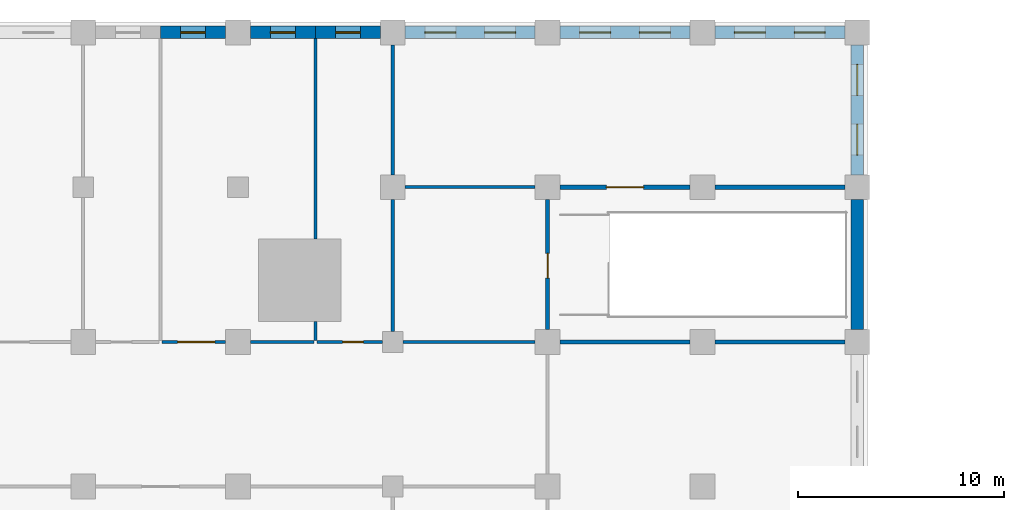
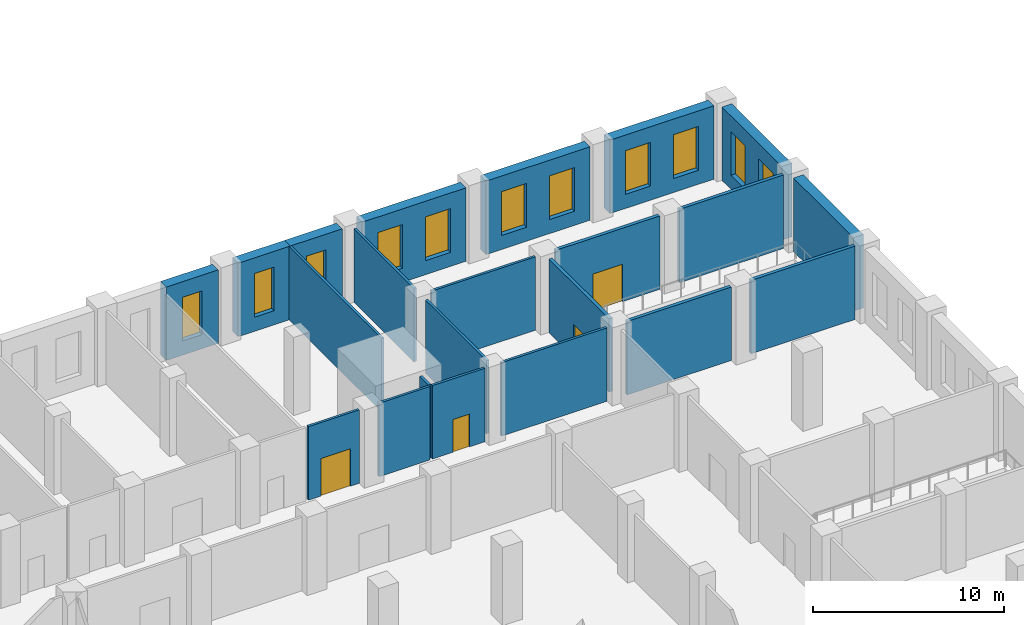
# One storey, part 11 of 22: 22 walls, 11 windows, 4 doors, 15 openings.
"""IFC4 building model written with IfcOpenShell, lengths in metres."""

from ifc_helpers import new_model, si_unit, direction, frame, frame_2d, origin, place, context, subcontext, project, spatial, rectangle, extrude, material, layer, layer_set, type_object, element, fill, save


model = new_model("IFC4")

# Units and contexts
model_context = context("Model", 3, precision=1e-05, world=origin(), true_north=direction((0.0, 1.0)))
body_context = subcontext(model_context, "Body", "Model", "MODEL_VIEW")
ifc_project = project(units=[si_unit("LENGTHUNIT", "METRE"), si_unit("AREAUNIT", "SQUARE_METRE"), si_unit("VOLUMEUNIT", "CUBIC_METRE"), si_unit("PLANEANGLEUNIT", "RADIAN"), si_unit("MASSUNIT", "GRAM", prefix="KILO")], contexts=[model_context])

# Site, building, storey
site_placement = place(None, origin())
site = spatial("IfcSite", under=ifc_project, at=site_placement, CompositionType="ELEMENT")
building_placement = place(site_placement, origin())
building = spatial("IfcBuilding", under=site, at=building_placement, Name="Tamorin Gate", CompositionType="ELEMENT")
storey_placement = place(building_placement, frame((0.0, 0.0, 29.0)))
storey = spatial("IfcBuildingStorey", under=building, at=storey_placement, Name="L05", CompositionType="ELEMENT", Elevation=29.0)

# Wall, opening, door
ifc_material_1 = material(Name="Concrete masonry C20/25", Category="masonry")
ifc_layer_1 = layer(ifc_material_1, 0.14990234375)
ifc_layer_set_1 = layer_set([ifc_layer_1], Name="Partition 150")
wall_type_1 = type_object("IfcWallType", Name="Partition 150", PredefinedType="PARTITIONING", material=ifc_layer_set_1)
wall_1_placement = place(storey_placement, frame((81.39990234375, 97.0, 0.0), z_axis=(0.0, 0.0, 1.0), x_axis=(-1.0, 0.0, 0.0)))
wall_1 = element("IfcWall", 1, at=wall_1_placement, inside=storey, type_object=wall_type_1, Name="Partition 150 L05", PredefinedType="PARTITIONING", context=body_context, shape_type="SweptSolid", body=[
    extrude(rectangle(XDim=3.074951171875, YDim=0.14990234375, at=frame_2d((1.53759765625, 0.0))), origin(), (0.0, 0.0, 1.0), 4.699951171875),
])
opening_1_placement = place(wall_1_placement, frame((0.52490234375, 0.0, 0.0)))
opening_1 = element("IfcOpeningElement", 2, at=opening_1_placement, cuts=wall_1, Name="Opening DP3", PredefinedType="OPENING", context=body_context, shape_type="SweptSolid", body=[
    extrude(rectangle(XDim=1.800048828125, YDim=2.39990234375, at=frame_2d((0.89990234375, 1.199951171875))), frame((0.0, 0.0849609375, 0.0), z_axis=(0.0, -1.0, 0.0), x_axis=(1.0, 0.0, 0.0)), (0.0, 0.0, 1.0), 0.169921875),
])
ifc_material_2 = material(Name="Steel and glass", Category="steel")
door_type_1 = type_object("IfcDoorType", Name="Door pair 1800", OperationType="DOUBLE_DOOR_SINGLE_SWING", PredefinedType="DOOR", material=ifc_material_2)
door_1_placement = place(opening_1_placement, origin())
door_1 = element("IfcDoor", 3, at=door_1_placement, inside=storey, type_object=door_type_1, Name="Door pair 1800 L05", OperationType="SINGLE_SWING_LEFT", OverallHeight=2.39990234375, OverallWidth=1.800048828125, PredefinedType="DOOR", context=body_context, shape_type="SweptSolid", body=[
    extrude(rectangle(XDim=1.800048828125, YDim=2.39990234375, at=frame_2d((0.89990234375, 1.199951171875))), frame((0.0, 0.02490234375, 0.0), z_axis=(0.0, -1.0, 0.0), x_axis=(1.0, 0.0, 0.0)), (0.0, 0.0, 1.0), 0.050048828125),
])
fill(opening_1, door_1)

# Wall
wall_2_placement = place(storey_placement, frame((82.60009765625, 97.0, 0.0), z_axis=(0.0, 0.0, 1.0), x_axis=(1.0, 0.0, 0.0)))
element("IfcWall", 4, at=wall_2_placement, inside=storey, type_object=wall_type_1, Name="Partition 150 L05", PredefinedType="PARTITIONING", context=body_context, shape_type="SweptSolid", body=[
    extrude(rectangle(XDim=3.074951171875, YDim=0.14990234375, at=frame_2d((1.53759765625, 0.0))), origin(), (0.0, 0.0, 1.0), 4.699951171875),
])

# Wall, opening, door
wall_3_placement = place(storey_placement, frame((89.0, 97.0, 0.0), z_axis=(0.0, 0.0, 1.0), x_axis=(-1.0, 0.0, 0.0)))
wall_3 = element("IfcWall", 5, at=wall_3_placement, inside=storey, type_object=wall_type_1, Name="Partition 150 L05", PredefinedType="PARTITIONING", context=body_context, shape_type="SweptSolid", body=[
    extrude(rectangle(XDim=3.175048828125, YDim=0.14990234375, at=frame_2d((1.58740234375, 0.0))), origin(), (0.0, 0.0, 1.0), 4.699951171875),
])
opening_2_placement = place(wall_3_placement, frame((0.925048828125, 0.0, 0.0)))
opening_2 = element("IfcOpeningElement", 6, at=opening_2_placement, cuts=wall_3, Name="Opening DP2", PredefinedType="OPENING", context=body_context, shape_type="SweptSolid", body=[
    extrude(rectangle(XDim=1.0, YDim=2.10009765625, at=frame_2d((0.5, 1.050048828125))), frame((0.0, 0.0849609375, 0.0), z_axis=(0.0, -1.0, 0.0), x_axis=(1.0, 0.0, 0.0)), (0.0, 0.0, 1.0), 0.169921875),
])
ifc_material_3 = material(Name="Painted steel", Category="steel")
door_type_2 = type_object("IfcDoorType", Name="Door single 1000", OperationType="SINGLE_SWING_LEFT", PredefinedType="DOOR", material=ifc_material_3)
door_2_placement = place(opening_2_placement, origin())
door_2 = element("IfcDoor", 7, at=door_2_placement, inside=storey, type_object=door_type_2, Name="Door single 1000 L05", OperationType="SINGLE_SWING_LEFT", OverallHeight=2.10009765625, OverallWidth=1.0, PredefinedType="DOOR", context=body_context, shape_type="SweptSolid", body=[
    extrude(rectangle(XDim=1.0, YDim=2.10009765625, at=frame_2d((0.5, 1.050048828125))), frame((0.0, 0.02490234375, 0.0), z_axis=(0.0, -1.0, 0.0), x_axis=(1.0, 0.0, 0.0)), (0.0, 0.0, 1.0), 0.050048828125),
])
fill(opening_2, door_2)

# Walls
wall_4_placement = place(storey_placement, frame((90.0, 97.0, 0.0), z_axis=(0.0, 0.0, 1.0), x_axis=(1.0, 0.0, 0.0)))
element("IfcWall", 8, at=wall_4_placement, inside=storey, type_object=wall_type_1, Name="Partition 150 L05", PredefinedType="PARTITIONING", context=body_context, shape_type="SweptSolid", body=[
    extrude(rectangle(XDim=6.39990234375, YDim=0.14990234375, at=frame_2d((3.199951171875, 0.0))), origin(), (0.0, 0.0, 1.0), 4.699951171875),
])
wall_5_placement = place(storey_placement, frame((90.10009765625, 104.5, 0.0), z_axis=(0.0, 0.0, 1.0), x_axis=(1.0, 0.0, 0.0)))
element("IfcWall", 9, at=wall_5_placement, inside=storey, type_object=wall_type_1, Name="Partition 150 L05", PredefinedType="PARTITIONING", context=body_context, shape_type="SweptSolid", body=[
    extrude(rectangle(XDim=6.2998046875, YDim=0.14990234375, at=frame_2d((3.14990234375, 0.0))), origin(), (0.0, 0.0, 1.0), 4.699951171875),
])
wall_6_placement = place(storey_placement, frame((89.5, 97.5, 0.0), z_axis=(0.0, 0.0, 1.0), x_axis=(0.0, 1.0, 0.0)))
element("IfcWall", 10, at=wall_6_placement, inside=storey, type_object=wall_type_1, Name="Partition 150 L05", PredefinedType="PARTITIONING", context=body_context, shape_type="SweptSolid", body=[
    extrude(rectangle(XDim=6.39990234375, YDim=0.14990234375, at=frame_2d((3.199951171875, 0.0))), origin(), (0.0, 0.0, 1.0), 4.699951171875),
])
wall_7_placement = place(storey_placement, frame((89.5, 105.10009765625, 0.0), z_axis=(0.0, 0.0, 1.0), x_axis=(0.0, 1.0, 0.0)))
element("IfcWall", 11, at=wall_7_placement, inside=storey, type_object=wall_type_1, Name="Partition 150 L05", PredefinedType="PARTITIONING", context=body_context, shape_type="SweptSolid", body=[
    extrude(rectangle(XDim=6.2998046875, YDim=0.14990234375, at=frame_2d((3.14990234375, 0.0))), origin(), (0.0, 0.0, 1.0), 4.699951171875),
])
wall_8_placement = place(storey_placement, frame((85.75, 97.074951171875, 0.0), z_axis=(0.0, 0.0, 1.0), x_axis=(0.0, 1.0, 0.0)))
element("IfcWall", 12, at=wall_8_placement, inside=storey, type_object=wall_type_1, Name="Partition 150 L05", PredefinedType="PARTITIONING", context=body_context, shape_type="SweptSolid", body=[
    extrude(rectangle(XDim=0.925048828125, YDim=0.14990234375, at=frame_2d((0.46240234375, 0.0))), origin(), (0.0, 0.0, 1.0), 4.699951171875),
])
wall_9_placement = place(storey_placement, frame((85.75, 102.0, 0.0), z_axis=(0.0, 0.0, 1.0), x_axis=(0.0, 1.0, 0.0)))
element("IfcWall", 13, at=wall_9_placement, inside=storey, type_object=wall_type_1, Name="Partition 150 L05", PredefinedType="PARTITIONING", context=body_context, shape_type="SweptSolid", body=[
    extrude(rectangle(XDim=9.699951171875, YDim=0.14990234375, at=frame_2d((4.85009765625, 0.0))), origin(), (0.0, 0.0, 1.0), 4.699951171875),
])

# Wall, opening, window
ifc_material_4 = material(Name="Precast concrete C40/50", Category="concrete")
ifc_layer_2 = layer(ifc_material_4, 0.60009765625)
ifc_layer_set_2 = layer_set([ifc_layer_2], Name="Precast concrete C40/50")
wall_type_2 = type_object("IfcWallType", Name="Precast plinth wall 600", PredefinedType="PARTITIONING", material=ifc_layer_set_2)
wall_10_placement = place(storey_placement, frame((78.25, 112.0, 0.0), z_axis=(0.0, 0.0, 1.0), x_axis=(1.0, 0.0, 0.0)))
wall_10 = element("IfcWall", 14, at=wall_10_placement, inside=storey, type_object=wall_type_2, Name="Precast plinth wall 600 L05", PredefinedType="PARTITIONING", context=body_context, shape_type="SweptSolid", body=[
    extrude(rectangle(XDim=3.14990234375, YDim=0.60009765625, at=frame_2d((1.574951171875, 0.0))), origin(), (0.0, 0.0, 1.0), 4.699951171875),
])
opening_3_placement = place(wall_10_placement, frame((0.97509765625, 0.0, 0.89990234375)))
opening_3 = element("IfcOpeningElement", 15, at=opening_3_placement, cuts=wall_10, Name="Opening PWN4", PredefinedType="OPENING", context=body_context, shape_type="SweptSolid", body=[
    extrude(rectangle(XDim=1.199951171875, YDim=2.800048828125, at=frame_2d((0.60009765625, 1.39990234375))), frame((0.0, 0.31005859375, 0.0), z_axis=(0.0, -1.0, 0.0), x_axis=(1.0, 0.0, 0.0)), (0.0, 0.0, 1.0), 0.6201171875),
])
ifc_material_5 = material(Name="Aluminium and glass", Category="aluminium")
window_type_1 = type_object("IfcWindowType", Name="Plinth window 1200x2800", PartitioningType="DOUBLE_PANEL_VERTICAL", PredefinedType="WINDOW", material=ifc_material_5)
window_1_placement = place(opening_3_placement, origin())
window_1 = element("IfcWindow", 16, at=window_1_placement, inside=storey, type_object=window_type_1, Name="Plinth window 1200x2800", OverallHeight=2.800048828125, OverallWidth=1.199951171875, PartitioningType="SINGLE_PANEL", PredefinedType="WINDOW", context=body_context, shape_type="SweptSolid", body=[
    extrude(rectangle(XDim=1.199951171875, YDim=2.800048828125, at=frame_2d((0.60009765625, 1.39990234375))), frame((0.0, 0.030029296875, 0.0), z_axis=(0.0, -1.0, 0.0), x_axis=(1.0, 0.0, 0.0)), (0.0, 0.0, 1.0), 0.06005859375),
])
fill(opening_3, window_1)

wall_11_placement = place(storey_placement, frame((82.60009765625, 112.0, 0.0), z_axis=(0.0, 0.0, 1.0), x_axis=(1.0, 0.0, 0.0)))
wall_11 = element("IfcWall", 17, at=wall_11_placement, inside=storey, type_object=wall_type_2, Name="Precast plinth wall 600 L05", PredefinedType="PARTITIONING", context=body_context, shape_type="SweptSolid", body=[
    extrude(rectangle(XDim=3.14990234375, YDim=0.60009765625, at=frame_2d((1.574951171875, 0.0))), origin(), (0.0, 0.0, 1.0), 4.699951171875),
])
opening_4_placement = place(wall_11_placement, frame((0.97509765625, 0.0, 0.89990234375)))
opening_4 = element("IfcOpeningElement", 18, at=opening_4_placement, cuts=wall_11, Name="Opening PWN4", PredefinedType="OPENING", context=body_context, shape_type="SweptSolid", body=[
    extrude(rectangle(XDim=1.199951171875, YDim=2.800048828125, at=frame_2d((0.60009765625, 1.39990234375))), frame((0.0, 0.31005859375, 0.0), z_axis=(0.0, -1.0, 0.0), x_axis=(1.0, 0.0, 0.0)), (0.0, 0.0, 1.0), 0.6201171875),
])
window_2_placement = place(opening_4_placement, origin())
window_2 = element("IfcWindow", 19, at=window_2_placement, inside=storey, type_object=window_type_1, Name="Plinth window 1200x2800", OverallHeight=2.800048828125, OverallWidth=1.199951171875, PartitioningType="SINGLE_PANEL", PredefinedType="WINDOW", context=body_context, shape_type="SweptSolid", body=[
    extrude(rectangle(XDim=1.199951171875, YDim=2.800048828125, at=frame_2d((0.60009765625, 1.39990234375))), frame((0.0, 0.030029296875, 0.0), z_axis=(0.0, -1.0, 0.0), x_axis=(1.0, 0.0, 0.0)), (0.0, 0.0, 1.0), 0.06005859375),
])
fill(opening_4, window_2)

wall_12_placement = place(storey_placement, frame((85.75, 112.0, 0.0), z_axis=(0.0, 0.0, 1.0), x_axis=(1.0, 0.0, 0.0)))
wall_12 = element("IfcWall", 20, at=wall_12_placement, inside=storey, type_object=wall_type_2, Name="Precast plinth wall 600 L05", PredefinedType="PARTITIONING", context=body_context, shape_type="SweptSolid", body=[
    extrude(rectangle(XDim=3.14990234375, YDim=0.60009765625, at=frame_2d((1.574951171875, 0.0))), origin(), (0.0, 0.0, 1.0), 4.699951171875),
])
opening_5_placement = place(wall_12_placement, frame((0.97509765625, 0.0, 0.89990234375)))
opening_5 = element("IfcOpeningElement", 21, at=opening_5_placement, cuts=wall_12, Name="Opening PWN4", PredefinedType="OPENING", context=body_context, shape_type="SweptSolid", body=[
    extrude(rectangle(XDim=1.199951171875, YDim=2.800048828125, at=frame_2d((0.60009765625, 1.39990234375))), frame((0.0, 0.31005859375, 0.0), z_axis=(0.0, -1.0, 0.0), x_axis=(1.0, 0.0, 0.0)), (0.0, 0.0, 1.0), 0.6201171875),
])
window_3_placement = place(opening_5_placement, origin())
window_3 = element("IfcWindow", 22, at=window_3_placement, inside=storey, type_object=window_type_1, Name="Plinth window 1200x2800", OverallHeight=2.800048828125, OverallWidth=1.199951171875, PartitioningType="SINGLE_PANEL", PredefinedType="WINDOW", context=body_context, shape_type="SweptSolid", body=[
    extrude(rectangle(XDim=1.199951171875, YDim=2.800048828125, at=frame_2d((0.60009765625, 1.39990234375))), frame((0.0, 0.030029296875, 0.0), z_axis=(0.0, -1.0, 0.0), x_axis=(1.0, 0.0, 0.0)), (0.0, 0.0, 1.0), 0.06005859375),
])
fill(opening_5, window_3)

# Wall, openings, windows
wall_13_placement = place(storey_placement, frame((90.10009765625, 112.0, 0.0), z_axis=(0.0, 0.0, 1.0), x_axis=(1.0, 0.0, 0.0)))
wall_13 = element("IfcWall", 23, at=wall_13_placement, inside=storey, type_object=wall_type_2, Name="Precast plinth wall 600 L05", PredefinedType="PARTITIONING", context=body_context, shape_type="SweptSolid", body=[
    extrude(rectangle(XDim=6.2998046875, YDim=0.60009765625, at=frame_2d((3.14990234375, 0.0))), origin(), (0.0, 0.0, 1.0), 4.699951171875),
])
opening_6_placement = place(wall_13_placement, frame((0.950927734375, 0.0, 0.89990234375)))
opening_6 = element("IfcOpeningElement", 24, at=opening_6_placement, cuts=wall_13, Name="Opening PWN5", PredefinedType="OPENING", context=body_context, shape_type="SweptSolid", body=[
    extrude(rectangle(XDim=1.5, YDim=2.800048828125, at=frame_2d((0.75, 1.39990234375))), frame((0.0, 0.31005859375, 0.0), z_axis=(0.0, -1.0, 0.0), x_axis=(1.0, 0.0, 0.0)), (0.0, 0.0, 1.0), 0.6201171875),
])
opening_7_placement = place(wall_13_placement, frame((3.84912109375, 0.0, 0.89990234375)))
opening_7 = element("IfcOpeningElement", 25, at=opening_7_placement, cuts=wall_13, Name="Opening PWN5", PredefinedType="OPENING", context=body_context, shape_type="SweptSolid", body=[
    extrude(rectangle(XDim=1.5, YDim=2.800048828125, at=frame_2d((0.75, 1.39990234375))), frame((0.0, 0.31005859375, 0.0), z_axis=(0.0, -1.0, 0.0), x_axis=(1.0, 0.0, 0.0)), (0.0, 0.0, 1.0), 0.6201171875),
])
window_type_2 = type_object("IfcWindowType", Name="Plinth window 1500x2800", PartitioningType="DOUBLE_PANEL_VERTICAL", PredefinedType="WINDOW", material=ifc_material_5)
window_4_placement = place(opening_6_placement, origin())
window_4 = element("IfcWindow", 26, at=window_4_placement, inside=storey, type_object=window_type_2, Name="Plinth window 1500x2800", OverallHeight=2.800048828125, OverallWidth=1.5, PartitioningType="SINGLE_PANEL", PredefinedType="WINDOW", context=body_context, shape_type="SweptSolid", body=[
    extrude(rectangle(XDim=1.5, YDim=2.800048828125, at=frame_2d((0.75, 1.39990234375))), frame((0.0, 0.030029296875, 0.0), z_axis=(0.0, -1.0, 0.0), x_axis=(1.0, 0.0, 0.0)), (0.0, 0.0, 1.0), 0.06005859375),
])
fill(opening_6, window_4)
window_5_placement = place(opening_7_placement, origin())
window_5 = element("IfcWindow", 27, at=window_5_placement, inside=storey, type_object=window_type_2, Name="Plinth window 1500x2800", OverallHeight=2.800048828125, OverallWidth=1.5, PartitioningType="SINGLE_PANEL", PredefinedType="WINDOW", context=body_context, shape_type="SweptSolid", body=[
    extrude(rectangle(XDim=1.5, YDim=2.800048828125, at=frame_2d((0.75, 1.39990234375))), frame((0.0, 0.030029296875, 0.0), z_axis=(0.0, -1.0, 0.0), x_axis=(1.0, 0.0, 0.0)), (0.0, 0.0, 1.0), 0.06005859375),
])
fill(opening_7, window_5)

wall_14_placement = place(storey_placement, frame((97.60009765625, 112.0, 0.0), z_axis=(0.0, 0.0, 1.0), x_axis=(1.0, 0.0, 0.0)))
wall_14 = element("IfcWall", 28, at=wall_14_placement, inside=storey, type_object=wall_type_2, Name="Precast plinth wall 600 L05", PredefinedType="PARTITIONING", context=body_context, shape_type="SweptSolid", body=[
    extrude(rectangle(XDim=6.2998046875, YDim=0.60009765625, at=frame_2d((3.14990234375, 0.0))), origin(), (0.0, 0.0, 1.0), 4.699951171875),
])
opening_8_placement = place(wall_14_placement, frame((0.950927734375, 0.0, 0.89990234375)))
opening_8 = element("IfcOpeningElement", 29, at=opening_8_placement, cuts=wall_14, Name="Opening PWN5", PredefinedType="OPENING", context=body_context, shape_type="SweptSolid", body=[
    extrude(rectangle(XDim=1.5, YDim=2.800048828125, at=frame_2d((0.75, 1.39990234375))), frame((0.0, 0.31005859375, 0.0), z_axis=(0.0, -1.0, 0.0), x_axis=(1.0, 0.0, 0.0)), (0.0, 0.0, 1.0), 0.6201171875),
])
opening_9_placement = place(wall_14_placement, frame((3.84912109375, 0.0, 0.89990234375)))
opening_9 = element("IfcOpeningElement", 30, at=opening_9_placement, cuts=wall_14, Name="Opening PWN5", PredefinedType="OPENING", context=body_context, shape_type="SweptSolid", body=[
    extrude(rectangle(XDim=1.5, YDim=2.800048828125, at=frame_2d((0.75, 1.39990234375))), frame((0.0, 0.31005859375, 0.0), z_axis=(0.0, -1.0, 0.0), x_axis=(1.0, 0.0, 0.0)), (0.0, 0.0, 1.0), 0.6201171875),
])
window_6_placement = place(opening_8_placement, origin())
window_6 = element("IfcWindow", 31, at=window_6_placement, inside=storey, type_object=window_type_2, Name="Plinth window 1500x2800", OverallHeight=2.800048828125, OverallWidth=1.5, PartitioningType="SINGLE_PANEL", PredefinedType="WINDOW", context=body_context, shape_type="SweptSolid", body=[
    extrude(rectangle(XDim=1.5, YDim=2.800048828125, at=frame_2d((0.75, 1.39990234375))), frame((0.0, 0.030029296875, 0.0), z_axis=(0.0, -1.0, 0.0), x_axis=(1.0, 0.0, 0.0)), (0.0, 0.0, 1.0), 0.06005859375),
])
fill(opening_8, window_6)
window_7_placement = place(opening_9_placement, origin())
window_7 = element("IfcWindow", 32, at=window_7_placement, inside=storey, type_object=window_type_2, Name="Plinth window 1500x2800", OverallHeight=2.800048828125, OverallWidth=1.5, PartitioningType="SINGLE_PANEL", PredefinedType="WINDOW", context=body_context, shape_type="SweptSolid", body=[
    extrude(rectangle(XDim=1.5, YDim=2.800048828125, at=frame_2d((0.75, 1.39990234375))), frame((0.0, 0.030029296875, 0.0), z_axis=(0.0, -1.0, 0.0), x_axis=(1.0, 0.0, 0.0)), (0.0, 0.0, 1.0), 0.06005859375),
])
fill(opening_9, window_7)

wall_15_placement = place(storey_placement, frame((105.10009765625, 112.0, 0.0), z_axis=(0.0, 0.0, 1.0), x_axis=(1.0, 0.0, 0.0)))
wall_15 = element("IfcWall", 33, at=wall_15_placement, inside=storey, type_object=wall_type_2, Name="Precast plinth wall 600 L05", PredefinedType="PARTITIONING", context=body_context, shape_type="SweptSolid", body=[
    extrude(rectangle(XDim=6.2998046875, YDim=0.60009765625, at=frame_2d((3.14990234375, 0.0))), origin(), (0.0, 0.0, 1.0), 4.699951171875),
])
opening_10_placement = place(wall_15_placement, frame((0.950927734375, 0.0, 0.89990234375)))
opening_10 = element("IfcOpeningElement", 34, at=opening_10_placement, cuts=wall_15, Name="Opening PWN5", PredefinedType="OPENING", context=body_context, shape_type="SweptSolid", body=[
    extrude(rectangle(XDim=1.5, YDim=2.800048828125, at=frame_2d((0.75, 1.39990234375))), frame((0.0, 0.31005859375, 0.0), z_axis=(0.0, -1.0, 0.0), x_axis=(1.0, 0.0, 0.0)), (0.0, 0.0, 1.0), 0.6201171875),
])
opening_11_placement = place(wall_15_placement, frame((3.84912109375, 0.0, 0.89990234375)))
opening_11 = element("IfcOpeningElement", 35, at=opening_11_placement, cuts=wall_15, Name="Opening PWN5", PredefinedType="OPENING", context=body_context, shape_type="SweptSolid", body=[
    extrude(rectangle(XDim=1.5, YDim=2.800048828125, at=frame_2d((0.75, 1.39990234375))), frame((0.0, 0.31005859375, 0.0), z_axis=(0.0, -1.0, 0.0), x_axis=(1.0, 0.0, 0.0)), (0.0, 0.0, 1.0), 0.6201171875),
])
window_8_placement = place(opening_10_placement, origin())
window_8 = element("IfcWindow", 36, at=window_8_placement, inside=storey, type_object=window_type_2, Name="Plinth window 1500x2800", OverallHeight=2.800048828125, OverallWidth=1.5, PartitioningType="SINGLE_PANEL", PredefinedType="WINDOW", context=body_context, shape_type="SweptSolid", body=[
    extrude(rectangle(XDim=1.5, YDim=2.800048828125, at=frame_2d((0.75, 1.39990234375))), frame((0.0, 0.030029296875, 0.0), z_axis=(0.0, -1.0, 0.0), x_axis=(1.0, 0.0, 0.0)), (0.0, 0.0, 1.0), 0.06005859375),
])
fill(opening_10, window_8)
window_9_placement = place(opening_11_placement, origin())
window_9 = element("IfcWindow", 37, at=window_9_placement, inside=storey, type_object=window_type_2, Name="Plinth window 1500x2800", OverallHeight=2.800048828125, OverallWidth=1.5, PartitioningType="SINGLE_PANEL", PredefinedType="WINDOW", context=body_context, shape_type="SweptSolid", body=[
    extrude(rectangle(XDim=1.5, YDim=2.800048828125, at=frame_2d((0.75, 1.39990234375))), frame((0.0, 0.030029296875, 0.0), z_axis=(0.0, -1.0, 0.0), x_axis=(1.0, 0.0, 0.0)), (0.0, 0.0, 1.0), 0.06005859375),
])
fill(opening_11, window_9)

# Wall
wall_16_placement = place(storey_placement, frame((112.0, 97.60009765625, 0.0), z_axis=(0.0, 0.0, 1.0), x_axis=(0.0, 1.0, 0.0)))
element("IfcWall", 38, at=wall_16_placement, inside=storey, type_object=wall_type_2, Name="Precast plinth wall 600 L05", PredefinedType="PARTITIONING", context=body_context, shape_type="SweptSolid", body=[
    extrude(rectangle(XDim=6.2998046875, YDim=0.60009765625, at=frame_2d((3.14990234375, 0.0))), origin(), (0.0, 0.0, 1.0), 4.699951171875),
])

# Wall, openings, windows
wall_17_placement = place(storey_placement, frame((112.0, 105.10009765625, 0.0), z_axis=(0.0, 0.0, 1.0), x_axis=(0.0, 1.0, 0.0)))
wall_17 = element("IfcWall", 39, at=wall_17_placement, inside=storey, type_object=wall_type_2, Name="Precast plinth wall 600 L05", PredefinedType="PARTITIONING", context=body_context, shape_type="SweptSolid", body=[
    extrude(rectangle(XDim=6.2998046875, YDim=0.60009765625, at=frame_2d((3.14990234375, 0.0))), origin(), (0.0, 0.0, 1.0), 4.699951171875),
])
opening_12_placement = place(wall_17_placement, frame((0.950927734375, 0.0, 0.89990234375)))
opening_12 = element("IfcOpeningElement", 40, at=opening_12_placement, cuts=wall_17, Name="Opening PWN5", PredefinedType="OPENING", context=body_context, shape_type="SweptSolid", body=[
    extrude(rectangle(XDim=1.5, YDim=2.800048828125, at=frame_2d((0.75, 1.39990234375))), frame((0.0, 0.31005859375, 0.0), z_axis=(0.0, -1.0, 0.0), x_axis=(1.0, 0.0, 0.0)), (0.0, 0.0, 1.0), 0.6201171875),
])
opening_13_placement = place(wall_17_placement, frame((3.84912109375, 0.0, 0.89990234375)))
opening_13 = element("IfcOpeningElement", 41, at=opening_13_placement, cuts=wall_17, Name="Opening PWN5", PredefinedType="OPENING", context=body_context, shape_type="SweptSolid", body=[
    extrude(rectangle(XDim=1.5, YDim=2.800048828125, at=frame_2d((0.75, 1.39990234375))), frame((0.0, 0.31005859375, 0.0), z_axis=(0.0, -1.0, 0.0), x_axis=(1.0, 0.0, 0.0)), (0.0, 0.0, 1.0), 0.6201171875),
])
window_10_placement = place(opening_12_placement, origin())
window_10 = element("IfcWindow", 42, at=window_10_placement, inside=storey, type_object=window_type_2, Name="Plinth window 1500x2800", OverallHeight=2.800048828125, OverallWidth=1.5, PartitioningType="SINGLE_PANEL", PredefinedType="WINDOW", context=body_context, shape_type="SweptSolid", body=[
    extrude(rectangle(XDim=1.5, YDim=2.800048828125, at=frame_2d((0.75, 1.39990234375))), frame((0.0, 0.030029296875, 0.0), z_axis=(0.0, -1.0, 0.0), x_axis=(1.0, 0.0, 0.0)), (0.0, 0.0, 1.0), 0.06005859375),
])
fill(opening_12, window_10)
window_11_placement = place(opening_13_placement, origin())
window_11 = element("IfcWindow", 43, at=window_11_placement, inside=storey, type_object=window_type_2, Name="Plinth window 1500x2800", OverallHeight=2.800048828125, OverallWidth=1.5, PartitioningType="SINGLE_PANEL", PredefinedType="WINDOW", context=body_context, shape_type="SweptSolid", body=[
    extrude(rectangle(XDim=1.5, YDim=2.800048828125, at=frame_2d((0.75, 1.39990234375))), frame((0.0, 0.030029296875, 0.0), z_axis=(0.0, -1.0, 0.0), x_axis=(1.0, 0.0, 0.0)), (0.0, 0.0, 1.0), 0.06005859375),
])
fill(opening_13, window_11)

# Walls
ifc_material_6 = material(Name="Concrete C40/50", Category="concrete")
ifc_layer_3 = layer(ifc_material_6, 0.199951171875)
ifc_layer_set_3 = layer_set([ifc_layer_3], Name="Stair enclosure 200")
wall_type_3 = type_object("IfcWallType", Name="Stair enclosure 200", PredefinedType="SHEAR", material=ifc_layer_set_3)
for number, where, z_axis, x_axis, name in (
    (44, (97.60009765625, 97.0, 0.0), (0.0, 0.0, 1.0), (1.0, 0.0, 0.0), "Stair enclosure 200 L05"),
    (45, (105.10009765625, 97.0, 0.0), (0.0, 0.0, 1.0), (1.0, 0.0, 0.0), "Stair enclosure 200 L05"),
):
    element("IfcWall", number, at=place(storey_placement, frame(where, z_axis=z_axis, x_axis=x_axis)), inside=storey, type_object=wall_type_3, Name=name, PredefinedType="SHEAR", context=body_context, shape_type="SweptSolid", body=[
        extrude(rectangle(XDim=6.2998046875, YDim=0.199951171875, at=frame_2d((3.14990234375, 0.0))), origin(), (0.0, 0.0, 1.0), 4.699951171875),
    ])

# Wall, opening, door
wall_18_placement = place(storey_placement, frame((103.89990234375, 104.5, 0.0), z_axis=(0.0, 0.0, 1.0), x_axis=(-1.0, 0.0, 0.0)))
wall_18 = element("IfcWall", 46, at=wall_18_placement, inside=storey, type_object=wall_type_3, Name="Stair enclosure 200 L05", PredefinedType="SHEAR", context=body_context, shape_type="SweptSolid", body=[
    extrude(rectangle(XDim=6.2998046875, YDim=0.199951171875, at=frame_2d((3.14990234375, 0.0))), origin(), (0.0, 0.0, 1.0), 4.699951171875),
])
opening_14_placement = place(wall_18_placement, frame((2.25, 0.0, 0.0)))
opening_14 = element("IfcOpeningElement", 47, at=opening_14_placement, cuts=wall_18, Name="Opening DP3", PredefinedType="OPENING", context=body_context, shape_type="SweptSolid", body=[
    extrude(rectangle(XDim=1.800048828125, YDim=2.39990234375, at=frame_2d((0.89990234375, 1.199951171875))), frame((0.0, 0.10986328125, 0.0), z_axis=(0.0, -1.0, 0.0), x_axis=(1.0, 0.0, 0.0)), (0.0, 0.0, 1.0), 0.219970703125),
])
door_3_placement = place(opening_14_placement, origin())
door_3 = element("IfcDoor", 48, at=door_3_placement, inside=storey, type_object=door_type_1, Name="Door pair 1800 L05", OperationType="SINGLE_SWING_LEFT", OverallHeight=2.39990234375, OverallWidth=1.800048828125, PredefinedType="DOOR", context=body_context, shape_type="SweptSolid", body=[
    extrude(rectangle(XDim=1.800048828125, YDim=2.39990234375, at=frame_2d((0.89990234375, 1.199951171875))), frame((0.0, 0.02490234375, 0.0), z_axis=(0.0, -1.0, 0.0), x_axis=(1.0, 0.0, 0.0)), (0.0, 0.0, 1.0), 0.050048828125),
])
fill(opening_14, door_3)

# Wall
wall_19_placement = place(storey_placement, frame((105.10009765625, 104.5, 0.0), z_axis=(0.0, 0.0, 1.0), x_axis=(1.0, 0.0, 0.0)))
element("IfcWall", 49, at=wall_19_placement, inside=storey, type_object=wall_type_3, Name="Stair enclosure 200 L05", PredefinedType="SHEAR", context=body_context, shape_type="SweptSolid", body=[
    extrude(rectangle(XDim=6.2998046875, YDim=0.199951171875, at=frame_2d((3.14990234375, 0.0))), origin(), (0.0, 0.0, 1.0), 4.699951171875),
])

# Wall, opening, door
wall_20_placement = place(storey_placement, frame((97.0, 103.89990234375, 0.0), z_axis=(0.0, 0.0, 1.0), x_axis=(0.0, -1.0, 0.0)))
wall_20 = element("IfcWall", 50, at=wall_20_placement, inside=storey, type_object=wall_type_3, Name="Stair enclosure 200 L05", PredefinedType="SHEAR", context=body_context, shape_type="SweptSolid", body=[
    extrude(rectangle(XDim=6.2998046875, YDim=0.199951171875, at=frame_2d((3.14990234375, 0.0))), origin(), (0.0, 0.0, 1.0), 4.699951171875),
])
opening_15_placement = place(wall_20_placement, frame((2.60009765625, 0.0, 0.0)))
opening_15 = element("IfcOpeningElement", 51, at=opening_15_placement, cuts=wall_20, Name="Opening DP5", PredefinedType="OPENING", context=body_context, shape_type="SweptSolid", body=[
    extrude(rectangle(XDim=1.199951171875, YDim=2.10009765625, at=frame_2d((0.60009765625, 1.050048828125))), frame((0.0, 0.10986328125, 0.0), z_axis=(0.0, -1.0, 0.0), x_axis=(1.0, 0.0, 0.0)), (0.0, 0.0, 1.0), 0.219970703125),
])
door_type_3 = type_object("IfcDoorType", Name="Stair door 1200", OperationType="SINGLE_SWING_LEFT", PredefinedType="DOOR", material=ifc_material_3)
door_4_placement = place(opening_15_placement, origin())
door_4 = element("IfcDoor", 52, at=door_4_placement, inside=storey, type_object=door_type_3, Name="Stair door 1200 L05", OperationType="SINGLE_SWING_LEFT", OverallHeight=2.10009765625, OverallWidth=1.199951171875, PredefinedType="DOOR", context=body_context, shape_type="SweptSolid", body=[
    extrude(rectangle(XDim=1.199951171875, YDim=2.10009765625, at=frame_2d((0.60009765625, 1.050048828125))), frame((0.0, 0.02490234375, 0.0), z_axis=(0.0, -1.0, 0.0), x_axis=(1.0, 0.0, 0.0)), (0.0, 0.0, 1.0), 0.050048828125),
])
fill(opening_15, door_4)

save(model, "model.ifc")
